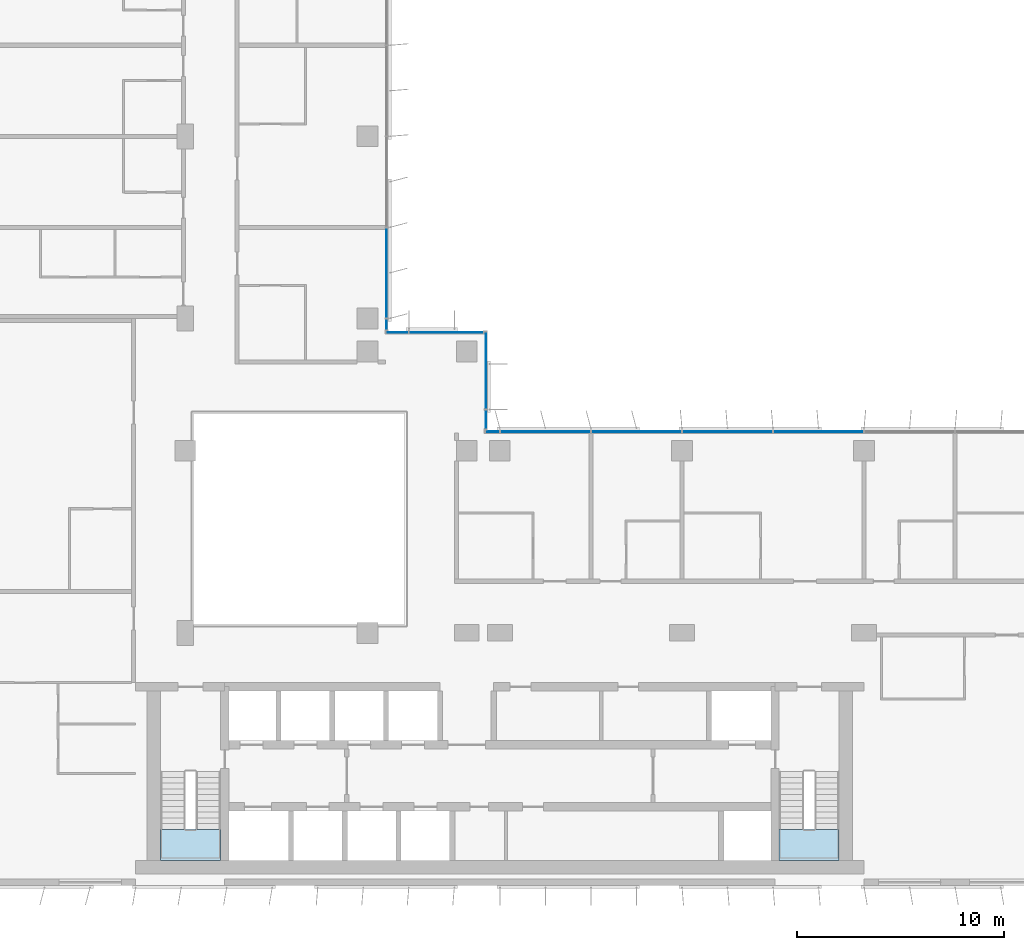
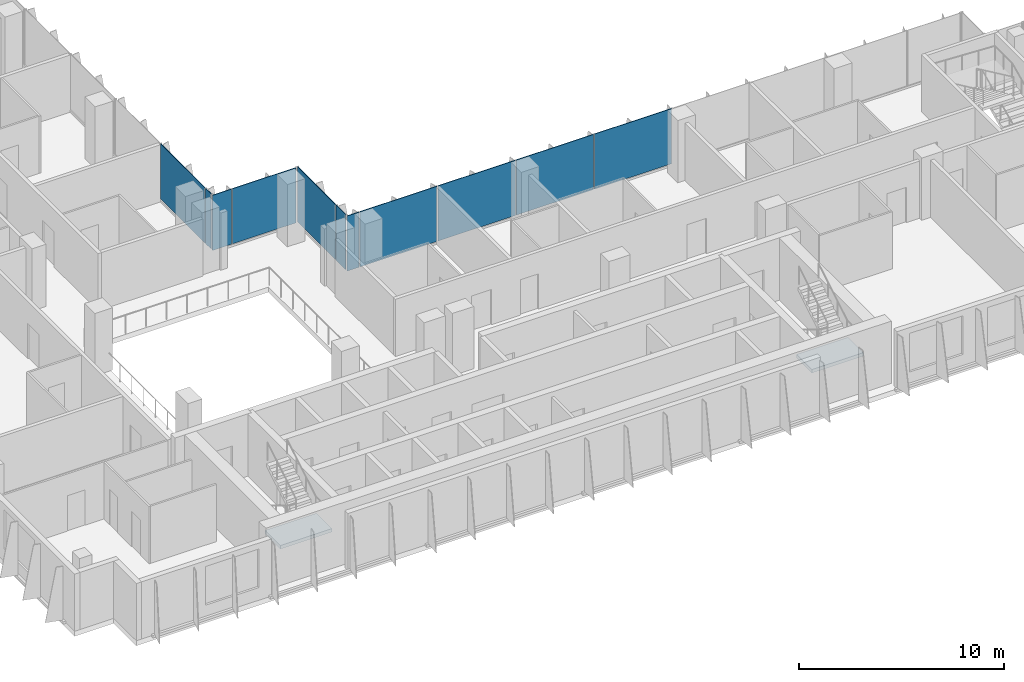
# One storey, part 10 of 21: 11 plates, 2 slabs, 6 elements without a shape of their own.
"""IFC4 building model written with IfcOpenShell, lengths in metres."""

from ifc_helpers import new_model, si_unit, direction, frame, origin, origin_2d, place, context, subcontext, project, spatial, polyline, rectangle, outline, extrude, source, transform, mapped, material, layer, layer_set, type_object, element, aggregate, save


model = new_model("IFC4")

# Units and contexts
model_context = context("Model", 3, precision=1e-05, world=origin(), true_north=direction((0.0, 1.0)))
body_context = subcontext(model_context, "Body", "Model", "MODEL_VIEW")
ifc_project = project(units=[si_unit("LENGTHUNIT", "METRE"), si_unit("AREAUNIT", "SQUARE_METRE"), si_unit("VOLUMEUNIT", "CUBIC_METRE"), si_unit("PLANEANGLEUNIT", "RADIAN"), si_unit("MASSUNIT", "GRAM", prefix="KILO")], contexts=[model_context])

# Site, building, storey
site_placement = place(None, origin())
site = spatial("IfcSite", under=ifc_project, at=site_placement, CompositionType="ELEMENT")
building_placement = place(site_placement, origin())
building = spatial("IfcBuilding", under=site, at=building_placement, Name="Kemantara Hotel Tower", CompositionType="ELEMENT")
storey_placement = place(building_placement, frame((0.0, 0.0, 164.199951171875)))
storey = spatial("IfcBuildingStorey", under=building, at=storey_placement, Name="L40", CompositionType="ELEMENT", Elevation=164.199951171875)

# Stair, slab
ifc_material_1 = material(Name="Concrete fc 40 MPa", Category="concrete")
stair_type = type_object("IfcStairType", Name="Stair 1200 wide 22 risers of 168 x 280 mm", PredefinedType="HALF_TURN_STAIR", material=ifc_material_1)
stair_1_placement = place(storey_placement, origin())
stair_1 = element("IfcStair", 1, at=stair_1_placement, inside=storey, type_object=stair_type, Name="L40 Exit stair ST1", PredefinedType="HALF_TURN_STAIR")
ifc_layer_1 = layer(ifc_material_1, 0.199951171875)
ifc_layer_set_1 = layer_set([ifc_layer_1], Name="Concrete fc 40 MPa")
slab_type = type_object("IfcSlabType", Name="Stair landing 200 mm", PredefinedType="LANDING", material=ifc_layer_set_1)
slab_1_placement = place(storey_placement, frame((0.0, 0.0, 1.650146484375)))
slab_1 = element("IfcSlab", 2, at=slab_1_placement, type_object=slab_type, Name="ST1 landing 1", PredefinedType="LANDING", context=body_context, shape_type="SweptSolid", body=[
    extrude(outline(polyline([(11.0, 2.699951171875), (11.0, 1.199951171875), (13.89990234375, 1.199951171875), (13.89990234375, 2.699951171875), (11.0, 2.699951171875)])), origin(), (0.0, 0.0, 1.0), 0.199951171875),
])
aggregate(stair_1, [slab_1])

stair_2_placement = place(storey_placement, origin())
stair_2 = element("IfcStair", 3, at=stair_2_placement, inside=storey, type_object=stair_type, Name="L40 Exit stair ST2", PredefinedType="HALF_TURN_STAIR")
slab_2_placement = place(storey_placement, frame((0.0, 0.0, 1.650146484375)))
slab_2 = element("IfcSlab", 4, at=slab_2_placement, type_object=slab_type, Name="ST2 landing 1", PredefinedType="LANDING", context=body_context, shape_type="SweptSolid", body=[
    extrude(outline(polyline([(40.89990234375, 2.699951171875), (40.89990234375, 1.199951171875), (43.800048828125, 1.199951171875), (43.800048828125, 2.699951171875), (40.89990234375, 2.699951171875)])), origin(), (0.0, 0.0, 1.0), 0.199951171875),
])
aggregate(stair_2, [slab_2])

# Curtain wall, plates
ifc_material_2 = material(Name="Low-E tinted double insulated glass 36 mm", Category="glass")
curtain_wall_type = type_object("IfcCurtainWallType", Name="TOWER CURTAIN WALL, FRONT FACES", PredefinedType="USERDEFINED", material=ifc_material_2)
curtain_wall_1_placement = place(storey_placement, origin())
curtain_wall_1 = element("IfcCurtainWall", 5, at=curtain_wall_1_placement, inside=storey, type_object=curtain_wall_type, Name="CW4 L40 T3-R14-1", ObjectType="TOWER CURTAIN WALL, FRONT FACES", PredefinedType="USERDEFINED")
ifc_layer_2 = layer(ifc_material_2, 0.035888671875)
ifc_layer_set_2 = layer_set([ifc_layer_2], Name="Low-E tinted double insulated glass 36 mm")
plate_type = type_object("IfcPlateType", Name="TOWER CURTAIN WALL, FRONT FACES PANEL", PredefinedType="CURTAIN_PANEL", material=ifc_layer_set_2)
shared_shape_1 = source(origin(), body_context, "Body", "SweptSolid", [
    extrude(rectangle(XDim=4.340087890625, YDim=0.035888671875, at=origin_2d()), origin(), (0.0, 0.0, 1.0), 3.280029296875),
])
plate_1_placement = place(storey_placement, frame((42.800048828125, 21.925048828125, 0.1201171875), z_axis=(0.0, 0.0, 1.0), x_axis=(-1.0, 0.0, 0.0)))
plate_1 = element("IfcPlate", 6, at=plate_1_placement, type_object=plate_type, Name="CW4 glass panel T3-R14-1.5", PredefinedType="CURTAIN_PANEL", context=body_context, shape_type="MappedRepresentation", body=[
    mapped(shared_shape_1, transform((0.0, 0.0, 0.0))),
])
plate_2_placement = place(storey_placement, frame((38.39990234375, 21.925048828125, 0.1201171875), z_axis=(0.0, 0.0, 1.0), x_axis=(-1.0, 0.0, 0.0)))
plate_2 = element("IfcPlate", 7, at=plate_2_placement, type_object=plate_type, Name="CW4 glass panel T3-R14-1.6", PredefinedType="CURTAIN_PANEL", context=body_context, shape_type="MappedRepresentation", body=[
    mapped(shared_shape_1, transform((0.0, 0.0, 0.0))),
])
plate_3_placement = place(storey_placement, frame((34.0, 21.925048828125, 0.1201171875), z_axis=(0.0, 0.0, 1.0), x_axis=(-1.0, 0.0, 0.0)))
plate_3 = element("IfcPlate", 8, at=plate_3_placement, type_object=plate_type, Name="CW4 glass panel T3-R14-1.7", PredefinedType="CURTAIN_PANEL", context=body_context, shape_type="MappedRepresentation", body=[
    mapped(shared_shape_1, transform((0.0, 0.0, 0.0))),
])
plate_4_placement = place(storey_placement, frame((29.60009765625, 21.925048828125, 0.1201171875), z_axis=(0.0, 0.0, 1.0), x_axis=(-1.0, 0.0, 0.0)))
plate_4 = element("IfcPlate", 9, at=plate_4_placement, type_object=plate_type, Name="CW4 glass panel T3-R14-1.8", PredefinedType="CURTAIN_PANEL", context=body_context, shape_type="MappedRepresentation", body=[
    mapped(shared_shape_1, transform((0.0, 0.0, 0.0))),
])

# Curtain wall, plate
curtain_wall_2_placement = place(storey_placement, origin())
curtain_wall_2 = element("IfcCurtainWall", 10, at=curtain_wall_2_placement, inside=storey, type_object=curtain_wall_type, Name="CW4 L40 T3-R17-1", ObjectType="TOWER CURTAIN WALL, FRONT FACES", PredefinedType="USERDEFINED")
plate_5_placement = place(storey_placement, frame((21.925048828125, 29.60009765625, 0.1201171875), z_axis=(0.0, 0.0, 1.0), x_axis=(0.0, 1.0, 0.0)))
plate_5 = element("IfcPlate", 11, at=plate_5_placement, type_object=plate_type, Name="CW4 glass panel T3-R17-1.2", PredefinedType="CURTAIN_PANEL", context=body_context, shape_type="MappedRepresentation", body=[
    mapped(shared_shape_1, transform((0.0, 0.0, 0.0))),
])

# Plate
shared_shape_2 = source(origin(), body_context, "Body", "SweptSolid", [
    extrude(rectangle(XDim=0.659912109375, YDim=0.035888671875, at=origin_2d()), origin(), (0.0, 0.0, 1.0), 3.280029296875),
])
plate_6_placement = place(storey_placement, frame((27.0400390625, 21.925048828125, 0.1201171875), z_axis=(0.0, 0.0, 1.0), x_axis=(-1.0, 0.0, 0.0)))
plate_6 = element("IfcPlate", 12, at=plate_6_placement, type_object=plate_type, Name="CW4 glass panel T3-R14-1.9", PredefinedType="CURTAIN_PANEL", context=body_context, shape_type="MappedRepresentation", body=[
    mapped(shared_shape_2, transform((0.0, 0.0, 0.0))),
])

aggregate(curtain_wall_1, [plate_1, plate_2, plate_3, plate_4, plate_6])

shared_shape_3 = source(origin(), body_context, "Body", "SweptSolid", [
    extrude(rectangle(XDim=0.510009765625, YDim=0.035888671875, at=origin_2d()), origin(), (0.0, 0.0, 1.0), 3.280029296875),
])
plate_7_placement = place(storey_placement, frame((21.925048828125, 27.114990234375, 0.1201171875), z_axis=(0.0, 0.0, 1.0), x_axis=(0.0, 1.0, 0.0)))
plate_7 = element("IfcPlate", 13, at=plate_7_placement, type_object=plate_type, Name="CW4 glass panel T3-R17-1.1", PredefinedType="CURTAIN_PANEL", context=body_context, shape_type="MappedRepresentation", body=[
    mapped(shared_shape_3, transform((0.0, 0.0, 0.0))),
])

aggregate(curtain_wall_2, [plate_7, plate_5])

# Curtain wall, plates
curtain_wall_3_placement = place(storey_placement, origin())
curtain_wall_3 = element("IfcCurtainWall", 14, at=curtain_wall_3_placement, inside=storey, type_object=curtain_wall_type, Name="CW4 L40 T3-R15-1", ObjectType="TOWER CURTAIN WALL, FRONT FACES", PredefinedType="USERDEFINED")
shared_shape_4 = source(origin(), body_context, "Body", "SweptSolid", [
    extrude(rectangle(XDim=0.909912109375, YDim=0.035888671875, at=origin_2d()), origin(), (0.0, 0.0, 1.0), 3.280029296875),
])
plate_8_placement = place(storey_placement, frame((26.72509765625, 22.514892578125, 0.1201171875), z_axis=(0.0, 0.0, 1.0), x_axis=(0.0, 1.0, 0.0)))
plate_8 = element("IfcPlate", 15, at=plate_8_placement, type_object=plate_type, Name="CW4 glass panel T3-R15-1.1", PredefinedType="CURTAIN_PANEL", context=body_context, shape_type="MappedRepresentation", body=[
    mapped(shared_shape_4, transform((0.0, 0.0, 0.0))),
])
shared_shape_5 = source(origin(), body_context, "Body", "SweptSolid", [
    extrude(rectangle(XDim=3.7099609375, YDim=0.035888671875, at=origin_2d()), origin(), (0.0, 0.0, 1.0), 3.280029296875),
])
plate_9_placement = place(storey_placement, frame((26.72509765625, 24.885009765625, 0.1201171875), z_axis=(0.0, 0.0, 1.0), x_axis=(0.0, 1.0, 0.0)))
plate_9 = element("IfcPlate", 16, at=plate_9_placement, type_object=plate_type, Name="CW4 glass panel T3-R15-1.2", PredefinedType="CURTAIN_PANEL", context=body_context, shape_type="MappedRepresentation", body=[
    mapped(shared_shape_5, transform((0.0, 0.0, 0.0))),
])
aggregate(curtain_wall_3, [plate_8, plate_9])

curtain_wall_4_placement = place(storey_placement, origin())
curtain_wall_4 = element("IfcCurtainWall", 17, at=curtain_wall_4_placement, inside=storey, type_object=curtain_wall_type, Name="CW4 L40 T3-R16-1", ObjectType="TOWER CURTAIN WALL, FRONT FACES", PredefinedType="USERDEFINED")
shared_shape_6 = source(origin(), body_context, "Body", "SweptSolid", [
    extrude(rectangle(XDim=3.56005859375, YDim=0.035888671875, at=origin_2d()), origin(), (0.0, 0.0, 1.0), 3.280029296875),
])
plate_10_placement = place(storey_placement, frame((24.81005859375, 26.72509765625, 0.1201171875), z_axis=(0.0, 0.0, 1.0), x_axis=(-1.0, 0.0, 0.0)))
plate_10 = element("IfcPlate", 18, at=plate_10_placement, type_object=plate_type, Name="CW4 glass panel T3-R16-1.1", PredefinedType="CURTAIN_PANEL", context=body_context, shape_type="MappedRepresentation", body=[
    mapped(shared_shape_6, transform((0.0, 0.0, 0.0))),
])
shared_shape_7 = source(origin(), body_context, "Body", "SweptSolid", [
    extrude(rectangle(XDim=1.06005859375, YDim=0.035888671875, at=origin_2d()), origin(), (0.0, 0.0, 1.0), 3.280029296875),
])
plate_11_placement = place(storey_placement, frame((22.43994140625, 26.72509765625, 0.1201171875), z_axis=(0.0, 0.0, 1.0), x_axis=(-1.0, 0.0, 0.0)))
plate_11 = element("IfcPlate", 19, at=plate_11_placement, type_object=plate_type, Name="CW4 glass panel T3-R16-1.2", PredefinedType="CURTAIN_PANEL", context=body_context, shape_type="MappedRepresentation", body=[
    mapped(shared_shape_7, transform((0.0, 0.0, 0.0))),
])
aggregate(curtain_wall_4, [plate_10, plate_11])

save(model, "model.ifc")
